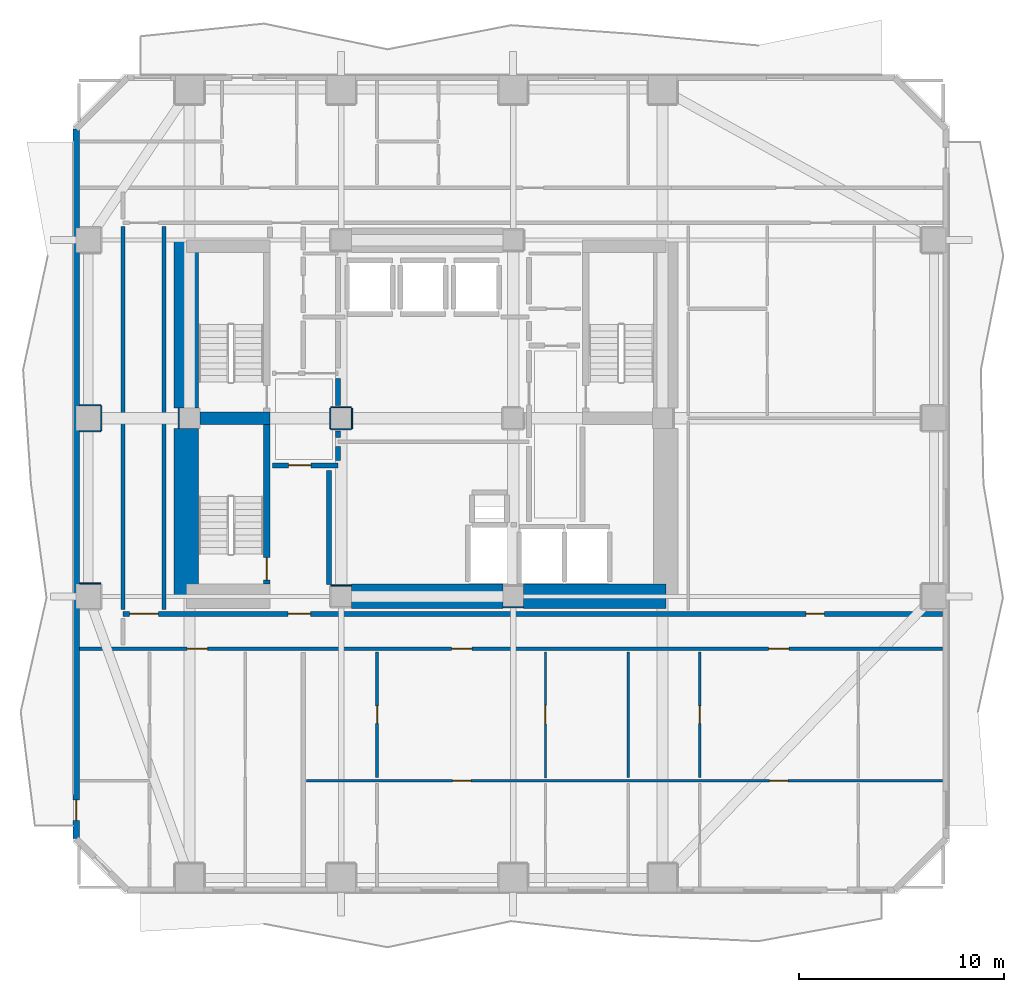
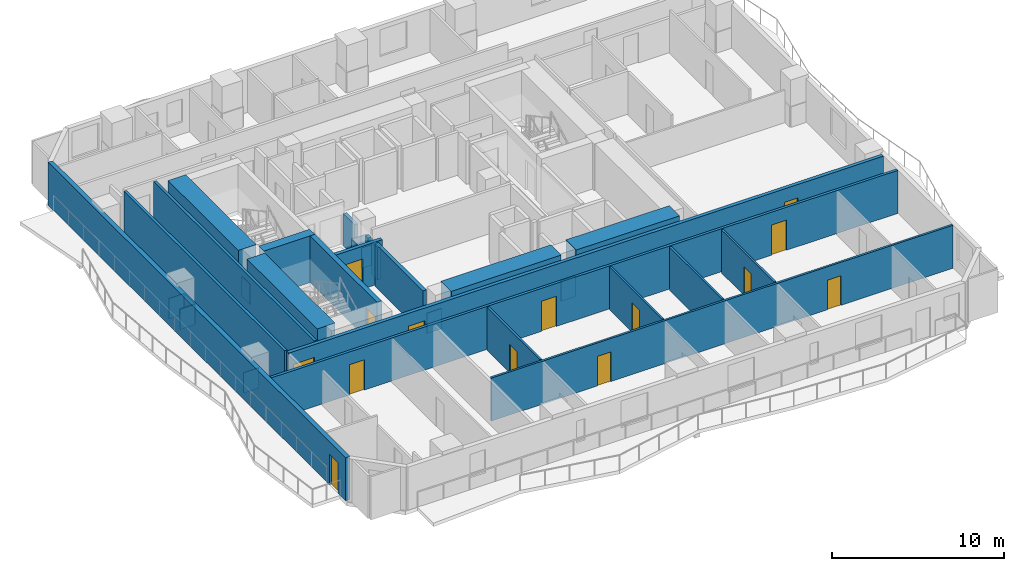
# One storey, part 3 of 10: 32 walls, 14 doors, 14 openings.
"""IFC4 building model written with IfcOpenShell, lengths in metres."""

from ifc_helpers import new_model, si_unit, direction, frame, frame_2d, origin, place, context, subcontext, project, spatial, rectangle, extrude, material, layer, layer_set, type_object, element, fill, save


model = new_model("IFC4")

# Units and contexts
model_context = context("Model", 3, precision=1e-05, world=origin(), true_north=direction((0.0, 1.0)))
body_context = subcontext(model_context, "Body", "Model", "MODEL_VIEW")
ifc_project = project(units=[si_unit("LENGTHUNIT", "METRE"), si_unit("AREAUNIT", "SQUARE_METRE"), si_unit("VOLUMEUNIT", "CUBIC_METRE"), si_unit("PLANEANGLEUNIT", "RADIAN"), si_unit("MASSUNIT", "GRAM", prefix="KILO")], contexts=[model_context])

# Site, building, storey
site_placement = place(None, origin())
site = spatial("IfcSite", under=ifc_project, at=site_placement, CompositionType="ELEMENT")
building_placement = place(site_placement, origin())
building = spatial("IfcBuilding", under=site, at=building_placement, Name="Solanera Arch Residences", CompositionType="ELEMENT")
storey_placement = place(building_placement, frame((0.0, 0.0, 48.56005859375)))
storey = spatial("IfcBuildingStorey", under=building, at=storey_placement, Name="L13", CompositionType="ELEMENT", Elevation=48.56005859375)

# Walls
ifc_material_1 = material(Name="Fire-Rated Gypsum Stud Partition", Category="gypsum")
ifc_layer_1 = layer(ifc_material_1, 0.06005859375)
ifc_layer_set_1 = layer_set([ifc_layer_1], Name="Fire-Rated Gypsum Stud Partition")
wall_type_1 = type_object("IfcWallType", Name="Column Acoustic Furring Wall 60", PredefinedType="PARTITIONING", material=ifc_layer_set_1)
wall_1_placement = place(storey_placement, frame((20.300048828125, 22.531982421875, 0.0), z_axis=(0.0, 0.0, 1.0), x_axis=(1.0, 0.0, 0.0)))
element("IfcWall", 1, at=wall_1_placement, inside=storey, type_object=wall_type_1, Name="L13 Column Furring 1N", PredefinedType="PARTITIONING", context=body_context, shape_type="SweptSolid", body=[
    extrude(rectangle(XDim=0.989990234375, YDim=0.06005859375, at=frame_2d((0.4951171875, 0.0))), origin(), (0.0, 0.0, 1.0), 1.449951171875),
])
for number, where, z_axis, x_axis, name in (
    (2, (28.7099609375, 21.468017578125, 0.0), (0.0, 0.0, 1.0), (1.0, 0.0, 0.0), "L13 Column Furring 2S"),
    (3, (12.867919921875, 30.2099609375, 0.0), (0.0, 0.0, 1.0), (0.0, 1.0, 0.0), "L13 Column Furring 5W"),
):
    element("IfcWall", number, at=place(storey_placement, frame(where, z_axis=z_axis, x_axis=x_axis)), inside=storey, type_object=wall_type_1, Name=name, PredefinedType="PARTITIONING", context=body_context, shape_type="SweptSolid", body=[
        extrude(rectangle(XDim=0.97998046875, YDim=0.06005859375, at=frame_2d((0.489990234375, 0.0))), origin(), (0.0, 0.0, 1.0), 1.449951171875),
    ])
for number, where, z_axis, x_axis, name in (
    (4, (20.300048828125, 30.16796875, 0.0), (0.0, 0.0, 1.0), (1.0, 0.0, 0.0), "L13 Column Furring 7S"),
    (5, (20.300048828125, 31.23193359375, 0.0), (0.0, 0.0, 1.0), (1.0, 0.0, 0.0), "L13 Column Furring 7N"),
    (6, (20.26806640625, 30.199951171875, 0.0), (0.0, 0.0, 1.0), (0.0, 1.0, 0.0), "L13 Column Furring 7W"),
    (7, (21.33203125, 30.199951171875, 0.0), (0.0, 0.0, 1.0), (0.0, 1.0, 0.0), "L13 Column Furring 7E"),
):
    element("IfcWall", number, at=place(storey_placement, frame(where, z_axis=z_axis, x_axis=x_axis)), inside=storey, type_object=wall_type_1, Name=name, PredefinedType="PARTITIONING", context=body_context, shape_type="SweptSolid", body=[
        extrude(rectangle(XDim=1.0, YDim=0.06005859375, at=frame_2d((0.5, 0.0))), origin(), (0.0, 0.0, 1.0), 1.449951171875),
    ])
for number, where, z_axis, x_axis, name in (
    (8, (8.030029296875, 22.632080078125, 0.0), (0.0, 0.0, 1.0), (1.0, 0.0, 0.0), "L13 Column Furring 17N"),
    (9, (8.030029296875, 30.068115234375, 0.0), (0.0, 0.0, 1.0), (1.0, 0.0, 0.0), "L13 Column Furring 19S"),
    (10, (8.030029296875, 31.33203125, 0.0), (0.0, 0.0, 1.0), (1.0, 0.0, 0.0), "L13 Column Furring 19N"),
):
    element("IfcWall", number, at=place(storey_placement, frame(where, z_axis=z_axis, x_axis=x_axis)), inside=storey, type_object=wall_type_1, Name=name, PredefinedType="PARTITIONING", context=body_context, shape_type="SweptSolid", body=[
        extrude(rectangle(XDim=1.02001953125, YDim=0.06005859375, at=frame_2d((0.510009765625, 0.0))), origin(), (0.0, 0.0, 1.0), 1.449951171875),
    ])
wall_2_placement = place(storey_placement, frame((9.08203125, 30.10009765625, 0.0), z_axis=(0.0, 0.0, 1.0), x_axis=(0.0, 1.0, 0.0)))
element("IfcWall", 11, at=wall_2_placement, inside=storey, type_object=wall_type_1, Name="L13 Column Furring 19E", PredefinedType="PARTITIONING", context=body_context, shape_type="SweptSolid", body=[
    extrude(rectangle(XDim=1.199951171875, YDim=0.06005859375, at=frame_2d((0.60009765625, 0.0))), origin(), (0.0, 0.0, 1.0), 1.449951171875),
])
ifc_material_2 = material(Name="Concrete C55/67 (f'c = 60 MPa)", Category="concrete")
ifc_layer_2 = layer(ifc_material_2, 1.199951171875)
ifc_layer_set_2 = layer_set([ifc_layer_2], Name="Concrete C55/67 (f'c = 60 MPa)")
wall_type_2 = type_object("IfcWallType", Name="Core Shear Wall CW-1200", PredefinedType="SHEAR", material=ifc_layer_set_2)
wall_3_placement = place(storey_placement, frame((13.239990234375, 22.0, 0.0), z_axis=(0.0, 0.0, 1.0), x_axis=(0.0, 1.0, 0.0)))
element("IfcWall", 12, at=wall_3_placement, inside=storey, type_object=wall_type_2, Name="L13 West Core South Shear Wall", PredefinedType="SHEAR", context=body_context, shape_type="SweptSolid", body=[
    extrude(rectangle(XDim=8.195068359375, YDim=1.199951171875, at=frame_2d((4.09765625, 0.0))), origin(), (0.0, 0.0, 1.0), 3.31982421875),
])
wall_4_placement = place(storey_placement, frame((13.239990234375, 31.205078125, 0.0), z_axis=(0.0, 0.0, 1.0), x_axis=(0.0, 1.0, 0.0)))
element("IfcWall", 13, at=wall_4_placement, inside=storey, type_object=wall_type_2, Name="L13 West Core North Shear Wall", PredefinedType="SHEAR", context=body_context, shape_type="SweptSolid", body=[
    extrude(rectangle(XDim=8.19482421875, YDim=1.199951171875, at=frame_2d((4.097412109375, 0.0))), origin(), (0.0, 0.0, 1.0), 3.31982421875),
])
wall_5_placement = place(storey_placement, frame((29.705078125, 22.0, 0.0), z_axis=(0.0, 0.0, 1.0), x_axis=(1.0, 0.0, 0.0)))
element("IfcWall", 14, at=wall_5_placement, inside=storey, type_object=wall_type_2, Name="L13 South-East Core Shear Wall", PredefinedType="SHEAR", context=body_context, shape_type="SweptSolid", body=[
    extrude(rectangle(XDim=6.954833984375, YDim=1.199951171875, at=frame_2d((3.4775390625, 0.0))), origin(), (0.0, 0.0, 1.0), 3.31982421875),
])
wall_6_placement = place(storey_placement, frame((21.304931640625, 22.0, 0.0), z_axis=(0.0, 0.0, 1.0), x_axis=(1.0, 0.0, 0.0)))
element("IfcWall", 15, at=wall_6_placement, inside=storey, type_object=wall_type_2, Name="L13 Central South Core Shear Wall", PredefinedType="SHEAR", context=body_context, shape_type="SweptSolid", body=[
    extrude(rectangle(XDim=7.39013671875, YDim=1.199951171875, at=frame_2d((3.695068359375, 0.0))), origin(), (0.0, 0.0, 1.0), 3.31982421875),
])

# Wall, opening, door
ifc_material_3 = material(Name="Concrete C40/50 (f'c = 45 MPa)", Category="concrete")
ifc_layer_3 = layer(ifc_material_3, 0.320068359375)
ifc_layer_set_3 = layer_set([ifc_layer_3], Name="Concrete C40/50 (f'c = 45 MPa)")
wall_type_3 = type_object("IfcWallType", Name="Core Shear Wall CW-320", PredefinedType="SHEAR", material=ifc_layer_set_3)
wall_7_placement = place(storey_placement, frame((17.159912109375, 22.60009765625, 0.0), z_axis=(0.0, 0.0, 1.0), x_axis=(0.0, 1.0, 0.0)))
wall_7 = element("IfcWall", 16, at=wall_7_placement, inside=storey, type_object=wall_type_3, Name="L13 Stair ST-T3 East Shear Wall", PredefinedType="SHEAR", context=body_context, shape_type="SweptSolid", body=[
    extrude(rectangle(XDim=7.7998046875, YDim=0.320068359375, at=frame_2d((3.89990234375, 0.0))), origin(), (0.0, 0.0, 1.0), 3.31982421875),
])
opening_1_placement = place(wall_7_placement, frame((0.18994140625, 0.0, 0.0)))
opening_1 = element("IfcOpeningElement", 17, at=opening_1_placement, cuts=wall_7, Name="Opening DF-01", PredefinedType="OPENING", context=body_context, shape_type="SweptSolid", body=[
    extrude(rectangle(XDim=1.10009765625, YDim=2.14990234375, at=frame_2d((0.550048828125, 1.074951171875))), frame((0.0, 0.169921875, 0.0), z_axis=(0.0, -1.0, 0.0), x_axis=(1.0, 0.0, 0.0)), (0.0, 0.0, 1.0), 0.3401),
])
ifc_material_4 = material(Name="Fire-Rated Architectural Hardwood", Category="wood")
door_type_1 = type_object("IfcDoorType", Name="Stair Exit Fire Door DF-01", OperationType="NOTDEFINED", PredefinedType="DOOR", material=ifc_material_4)
door_1_placement = place(opening_1_placement, origin())
door_1 = element("IfcDoor", 18, at=door_1_placement, inside=storey, type_object=door_type_1, Name="DR-L13-STAIR-ST-T3", OperationType="SINGLE_SWING_LEFT", OverallHeight=2.14990234375, OverallWidth=1.10009765625, PredefinedType="DOOR", context=body_context, shape_type="SweptSolid", body=[
    extrude(rectangle(XDim=1.10009765625, YDim=2.14990234375, at=frame_2d((0.550048828125, 1.074951171875))), frame((0.0, 0.02490234375, 0.0), z_axis=(0.0, -1.0, 0.0), x_axis=(1.0, 0.0, 0.0)), (0.0, 0.0, 1.0), 0.050048828125),
])
fill(opening_1, door_1)

# Wall
ifc_material_5 = material(Name="Concrete C40/50 (f'c = 45 MPa)", Category="concrete")
ifc_layer_4 = layer(ifc_material_5, 0.60009765625)
ifc_layer_set_4 = layer_set([ifc_layer_4], Name="Concrete C40/50 (f'c = 45 MPa)")
wall_type_4 = type_object("IfcWallType", Name="Core Shear Wall CW-600", PredefinedType="SHEAR", material=ifc_layer_set_4)
wall_8_placement = place(storey_placement, frame((13.905029296875, 30.699951171875, 0.0), z_axis=(0.0, 0.0, 1.0), x_axis=(1.0, 0.0, 0.0)))
element("IfcWall", 19, at=wall_8_placement, inside=storey, type_object=wall_type_4, Name="L13 West Stair Divider Shear Wall", PredefinedType="SHEAR", context=body_context, shape_type="SweptSolid", body=[
    extrude(rectangle(XDim=3.4150390625, YDim=0.60009765625, at=frame_2d((1.70751953125, 0.0))), origin(), (0.0, 0.0, 1.0), 3.31982421875),
])

# Wall, openings, doors
ifc_material_6 = material(Name="Autoclaved Aerated Concrete Blockwork", Category="masonry")
ifc_layer_5 = layer(ifc_material_6, 0.179931640625)
ifc_layer_set_5 = layer_set([ifc_layer_5], Name="Autoclaved Aerated Concrete Blockwork")
wall_type_5 = type_object("IfcWallType", Name="Corridor Fire Partition 180", PredefinedType="PARTITIONING", material=ifc_layer_set_5)
wall_9_placement = place(storey_placement, frame((8.027099609375, 19.449951171875, 0.0), z_axis=(0.0, 0.0, 1.0), x_axis=(1.0, 0.0, 0.0)))
wall_9 = element("IfcWall", 20, at=wall_9_placement, inside=storey, type_object=wall_type_5, Name="L13 Interior Partition H7", PredefinedType="PARTITIONING", context=body_context, shape_type="SweptSolid", body=[
    extrude(rectangle(XDim=42.14599609375, YDim=0.179931640625, at=frame_2d((21.072998046875, 0.0))), origin(), (0.0, 0.0, 1.0), 3.06005859375),
])
opening_2_placement = place(wall_9_placement, frame((5.256103515625, 0.0, 0.0)))
opening_2 = element("IfcOpeningElement", 21, at=opening_2_placement, cuts=wall_9, Name="Opening DI-01", PredefinedType="OPENING", context=body_context, shape_type="SweptSolid", body=[
    extrude(rectangle(XDim=1.0, YDim=2.14990234375, at=frame_2d((0.5, 1.074951171875))), frame((0.0, 0.10009765625, 0.0), z_axis=(0.0, -1.0, 0.0), x_axis=(1.0, 0.0, 0.0)), (0.0, 0.0, 1.0), 0.1999),
])
opening_3_placement = place(wall_9_placement, frame((18.1689453125, 0.0, 0.0)))
opening_3 = element("IfcOpeningElement", 22, at=opening_3_placement, cuts=wall_9, Name="Opening DI-01", PredefinedType="OPENING", context=body_context, shape_type="SweptSolid", body=[
    extrude(rectangle(XDim=1.0, YDim=2.14990234375, at=frame_2d((0.5, 1.074951171875))), frame((0.0, 0.10009765625, 0.0), z_axis=(0.0, -1.0, 0.0), x_axis=(1.0, 0.0, 0.0)), (0.0, 0.0, 1.0), 0.1999),
])
opening_4_placement = place(wall_9_placement, frame((33.653076171875, 0.0, 0.0)))
opening_4 = element("IfcOpeningElement", 23, at=opening_4_placement, cuts=wall_9, Name="Opening DI-01", PredefinedType="OPENING", context=body_context, shape_type="SweptSolid", body=[
    extrude(rectangle(XDim=1.0, YDim=2.14990234375, at=frame_2d((0.5, 1.074951171875))), frame((0.0, 0.10009765625, 0.0), z_axis=(0.0, -1.0, 0.0), x_axis=(1.0, 0.0, 0.0)), (0.0, 0.0, 1.0), 0.1999),
])
ifc_material_7 = material(Name="Fire-Rated Architectural Hardwood", Category="wood")
door_type_2 = type_object("IfcDoorType", Name="Unit Entrance Fire Door DI-01", OperationType="NOTDEFINED", PredefinedType="DOOR", material=ifc_material_7)
door_2_placement = place(opening_2_placement, origin())
door_2 = element("IfcDoor", 24, at=door_2_placement, inside=storey, type_object=door_type_2, Name="DR-L13-IN-015", OperationType="SINGLE_SWING_LEFT", OverallHeight=2.14990234375, OverallWidth=1.0, PredefinedType="DOOR", context=body_context, shape_type="SweptSolid", body=[
    extrude(rectangle(XDim=1.0, YDim=2.14990234375, at=frame_2d((0.5, 1.074951171875))), frame((0.0, 0.02490234375, 0.0), z_axis=(0.0, -1.0, 0.0), x_axis=(1.0, 0.0, 0.0)), (0.0, 0.0, 1.0), 0.050048828125),
])
fill(opening_2, door_2)
door_3_placement = place(opening_3_placement, origin())
door_3 = element("IfcDoor", 25, at=door_3_placement, inside=storey, type_object=door_type_2, Name="DR-L13-IN-019", OperationType="SINGLE_SWING_LEFT", OverallHeight=2.14990234375, OverallWidth=1.0, PredefinedType="DOOR", context=body_context, shape_type="SweptSolid", body=[
    extrude(rectangle(XDim=1.0, YDim=2.14990234375, at=frame_2d((0.5, 1.074951171875))), frame((0.0, 0.02490234375, 0.0), z_axis=(0.0, -1.0, 0.0), x_axis=(1.0, 0.0, 0.0)), (0.0, 0.0, 1.0), 0.050048828125),
])
fill(opening_3, door_3)
door_4_placement = place(opening_4_placement, origin())
door_4 = element("IfcDoor", 26, at=door_4_placement, inside=storey, type_object=door_type_2, Name="DR-L13-IN-025", OperationType="SINGLE_SWING_LEFT", OverallHeight=2.14990234375, OverallWidth=1.0, PredefinedType="DOOR", context=body_context, shape_type="SweptSolid", body=[
    extrude(rectangle(XDim=1.0, YDim=2.14990234375, at=frame_2d((0.5, 1.074951171875))), frame((0.0, 0.02490234375, 0.0), z_axis=(0.0, -1.0, 0.0), x_axis=(1.0, 0.0, 0.0)), (0.0, 0.0, 1.0), 0.050048828125),
])
fill(opening_4, door_4)

# Walls
for number, where, z_axis, x_axis, name in (
    (27, (10.14990234375, 21.367919921875, 0.0), (0.0, 0.0, 1.0), (0.0, 1.0, 0.0), "L13 Interior Partition V8 2"),
    (28, (12.14990234375, 21.367919921875, 0.0), (0.0, 0.0, 1.0), (0.0, 1.0, 0.0), "L13 Interior Partition V9"),
):
    element("IfcWall", number, at=place(storey_placement, frame(where, z_axis=z_axis, x_axis=x_axis)), inside=storey, type_object=wall_type_5, Name=name, PredefinedType="PARTITIONING", context=body_context, shape_type="SweptSolid", body=[
        extrude(rectangle(XDim=18.694091796875, YDim=0.179931640625, at=frame_2d((9.34716796875, 0.0))), origin(), (0.0, 0.0, 1.0), 3.06005859375),
    ])

# Wall, opening, door
ifc_material_8 = material(Name="Precast Concrete C35/45", Category="concrete")
ifc_layer_6 = layer(ifc_material_8, 0.300048828125)
ifc_layer_set_6 = layer_set([ifc_layer_6], Name="Precast Concrete C35/45")
wall_type_6 = type_object("IfcWallType", Name="Exterior Wall Precast Masonry-Frame 300", PredefinedType="STANDARD", material=ifc_layer_set_6)
wall_10_placement = place(storey_placement, frame((7.864990234375, 10.1650390625, 0.0), z_axis=(0.0, 0.0, 1.0), x_axis=(0.0, 1.0, 0.0)))
wall_10 = element("IfcWall", 29, at=wall_10_placement, inside=storey, type_object=wall_type_6, Name="L13 Tower Exterior Precast Masonry-Frame Wall W", PredefinedType="STANDARD", context=body_context, shape_type="SweptSolid", body=[
    extrude(rectangle(XDim=34.669921875, YDim=0.300048828125, at=frame_2d((17.3349609375, 0.0))), origin(), (0.0, 0.0, 1.0), 3.06005859375),
])
opening_5_placement = place(wall_10_placement, frame((0.90087890625, 0.0, 0.0)))
opening_5 = element("IfcOpeningElement", 30, at=opening_5_placement, cuts=wall_10, Name="Opening DB-01", PredefinedType="OPENING", context=body_context, shape_type="SweptSolid", body=[
    extrude(rectangle(XDim=1.0, YDim=2.14990234375, at=frame_2d((0.5, 1.074951171875))), frame((0.0, 0.159912109375, 0.0), z_axis=(0.0, -1.0, 0.0), x_axis=(1.0, 0.0, 0.0)), (0.0, 0.0, 1.0), 0.32),
])
ifc_material_9 = material(Name="Anodised Aluminium Alloy 6063-T6", Category="aluminium")
door_type_3 = type_object("IfcDoorType", Name="Glazed Balcony Swing Door DB-01", OperationType="NOTDEFINED", PredefinedType="DOOR", material=ifc_material_9)
door_5_placement = place(opening_5_placement, origin())
door_5 = element("IfcDoor", 31, at=door_5_placement, inside=storey, type_object=door_type_3, Name="DR-L13-OUT-04", OperationType="SINGLE_SWING_RIGHT", OverallHeight=2.14990234375, OverallWidth=1.0, PredefinedType="DOOR", context=body_context, shape_type="SweptSolid", body=[
    extrude(rectangle(XDim=1.0, YDim=2.14990234375, at=frame_2d((0.5, 1.074951171875))), frame((0.0, 0.02490234375, 0.0), z_axis=(0.0, -1.0, 0.0), x_axis=(1.0, 0.0, 0.0)), (0.0, 0.0, 1.0), 0.050048828125),
])
fill(opening_5, door_5)

# Wall, openings, doors
ifc_material_10 = material(Name="Autoclaved Aerated Concrete Blockwork", Category="masonry")
ifc_layer_7 = layer(ifc_material_10, 0.239990234375)
ifc_layer_set_7 = layer_set([ifc_layer_7], Name="Autoclaved Aerated Concrete Blockwork")
wall_type_7 = type_object("IfcWallType", Name="Shaft Wall Fire-Rated 240", PredefinedType="PARTITIONING", material=ifc_layer_set_7)
wall_11_placement = place(storey_placement, frame((10.14990234375, 21.14990234375, 0.0), z_axis=(0.0, 0.0, 1.0), x_axis=(1.0, 0.0, 0.0)))
wall_11 = element("IfcWall", 32, at=wall_11_placement, inside=storey, type_object=wall_type_7, Name="L13 Interior Partition H1", PredefinedType="PARTITIONING", context=body_context, shape_type="SweptSolid", body=[
    extrude(rectangle(XDim=40.023193359375, YDim=0.239990234375, at=frame_2d((20.01171875, 0.0))), origin(), (0.0, 0.0, 1.0), 3.06005859375),
])
opening_6_placement = place(wall_11_placement, frame((8.06005859375, 0.0, 0.0)))
opening_6 = element("IfcOpeningElement", 33, at=opening_6_placement, cuts=wall_11, Name="Opening DF-02", PredefinedType="OPENING", context=body_context, shape_type="SweptSolid", body=[
    extrude(rectangle(XDim=1.10009765625, YDim=2.14990234375, at=frame_2d((0.550048828125, 1.074951171875))), frame((0.0, 0.1298828125, 0.0), z_axis=(0.0, -1.0, 0.0), x_axis=(1.0, 0.0, 0.0)), (0.0, 0.0, 1.0), 0.26),
])
opening_7_placement = place(wall_11_placement, frame((0.323974609375, 0.0, 0.0)))
opening_7 = element("IfcOpeningElement", 34, at=opening_7_placement, cuts=wall_11, Name="Opening DF-03", PredefinedType="OPENING", context=body_context, shape_type="SweptSolid", body=[
    extrude(rectangle(XDim=1.39990234375, YDim=2.14990234375, at=frame_2d((0.699951171875, 1.074951171875))), frame((0.0, 0.1298828125, 0.0), z_axis=(0.0, -1.0, 0.0), x_axis=(1.0, 0.0, 0.0)), (0.0, 0.0, 1.0), 0.26),
])
opening_8_placement = place(wall_11_placement, frame((33.35107421875, 0.0, 0.0)))
opening_8 = element("IfcOpeningElement", 35, at=opening_8_placement, cuts=wall_11, Name="Opening DI-02", PredefinedType="OPENING", context=body_context, shape_type="SweptSolid", body=[
    extrude(rectangle(XDim=0.89990234375, YDim=2.10009765625, at=frame_2d((0.449951171875, 1.050048828125))), frame((0.0, 0.1298828125, 0.0), z_axis=(0.0, -1.0, 0.0), x_axis=(1.0, 0.0, 0.0)), (0.0, 0.0, 1.0), 0.26),
])
ifc_material_11 = material(Name="Fire-Rated Architectural Hardwood", Category="wood")
door_type_4 = type_object("IfcDoorType", Name="Corridor Smoke Door DF-03", OperationType="NOTDEFINED", PredefinedType="DOOR", material=ifc_material_11)
door_6_placement = place(opening_7_placement, origin())
door_6 = element("IfcDoor", 36, at=door_6_placement, inside=storey, type_object=door_type_4, Name="DR-L13-IN-010", OperationType="SINGLE_SWING_RIGHT", OverallHeight=2.14990234375, OverallWidth=1.39990234375, PredefinedType="DOOR", context=body_context, shape_type="SweptSolid", body=[
    extrude(rectangle(XDim=1.39990234375, YDim=2.14990234375, at=frame_2d((0.699951171875, 1.074951171875))), frame((0.0, 0.02490234375, 0.0), z_axis=(0.0, -1.0, 0.0), x_axis=(1.0, 0.0, 0.0)), (0.0, 0.0, 1.0), 0.050048828125),
])
fill(opening_7, door_6)
ifc_material_12 = material(Name="Fire-Rated Architectural Hardwood", Category="wood")
door_type_5 = type_object("IfcDoorType", Name="Firefighting Lobby Fire Door DF-02", OperationType="NOTDEFINED", PredefinedType="DOOR", material=ifc_material_12)
door_7_placement = place(opening_6_placement, origin())
door_7 = element("IfcDoor", 37, at=door_7_placement, inside=storey, type_object=door_type_5, Name="DR-L13-IN-008", OperationType="SINGLE_SWING_RIGHT", OverallHeight=2.14990234375, OverallWidth=1.10009765625, PredefinedType="DOOR", context=body_context, shape_type="SweptSolid", body=[
    extrude(rectangle(XDim=1.10009765625, YDim=2.14990234375, at=frame_2d((0.550048828125, 1.074951171875))), frame((0.0, 0.02490234375, 0.0), z_axis=(0.0, -1.0, 0.0), x_axis=(1.0, 0.0, 0.0)), (0.0, 0.0, 1.0), 0.050048828125),
])
fill(opening_6, door_7)
ifc_material_13 = material(Name="Fire-Rated Architectural Hardwood", Category="wood")
door_type_6 = type_object("IfcDoorType", Name="Suite Room Swing Door DI-02", OperationType="NOTDEFINED", PredefinedType="DOOR", material=ifc_material_13)
door_8_placement = place(opening_8_placement, origin())
door_8 = element("IfcDoor", 38, at=door_8_placement, inside=storey, type_object=door_type_6, Name="DR-L13-IN-039", OperationType="SINGLE_SWING_LEFT", OverallHeight=2.10009765625, OverallWidth=0.89990234375, PredefinedType="DOOR", context=body_context, shape_type="SweptSolid", body=[
    extrude(rectangle(XDim=0.89990234375, YDim=2.10009765625, at=frame_2d((0.449951171875, 1.050048828125))), frame((0.0, 0.02490234375, 0.0), z_axis=(0.0, -1.0, 0.0), x_axis=(1.0, 0.0, 0.0)), (0.0, 0.0, 1.0), 0.050048828125),
])
fill(opening_8, door_8)

# Wall, opening, door
wall_12_placement = place(storey_placement, frame((17.449951171875, 28.39990234375, 0.0), z_axis=(0.0, 0.0, 1.0), x_axis=(1.0, 0.0, 0.0)))
wall_12 = element("IfcWall", 39, at=wall_12_placement, inside=storey, type_object=wall_type_7, Name="L13 Interior Partition H3", PredefinedType="PARTITIONING", context=body_context, shape_type="SweptSolid", body=[
    extrude(rectangle(XDim=3.199951171875, YDim=0.239990234375, at=frame_2d((1.60009765625, 0.0))), origin(), (0.0, 0.0, 1.0), 3.06005859375),
])
opening_9_placement = place(wall_12_placement, frame((0.783935546875, 0.0, 0.0)))
opening_9 = element("IfcOpeningElement", 40, at=opening_9_placement, cuts=wall_12, Name="Opening DF-02", PredefinedType="OPENING", context=body_context, shape_type="SweptSolid", body=[
    extrude(rectangle(XDim=1.10009765625, YDim=2.14990234375, at=frame_2d((0.550048828125, 1.074951171875))), frame((0.0, 0.1298828125, 0.0), z_axis=(0.0, -1.0, 0.0), x_axis=(1.0, 0.0, 0.0)), (0.0, 0.0, 1.0), 0.26),
])
door_9_placement = place(opening_9_placement, origin())
door_9 = element("IfcDoor", 41, at=door_9_placement, inside=storey, type_object=door_type_5, Name="DR-L13-IN-004", OperationType="SINGLE_SWING_RIGHT", OverallHeight=2.14990234375, OverallWidth=1.10009765625, PredefinedType="DOOR", context=body_context, shape_type="SweptSolid", body=[
    extrude(rectangle(XDim=1.10009765625, YDim=2.14990234375, at=frame_2d((0.550048828125, 1.074951171875))), frame((0.0, 0.02490234375, 0.0), z_axis=(0.0, -1.0, 0.0), x_axis=(1.0, 0.0, 0.0)), (0.0, 0.0, 1.0), 0.050048828125),
])
fill(opening_9, door_9)

# Walls
wall_13_placement = place(storey_placement, frame((20.199951171875, 22.5859375, 0.0), z_axis=(0.0, 0.0, 1.0), x_axis=(0.0, 1.0, 0.0)))
element("IfcWall", 42, at=wall_13_placement, inside=storey, type_object=wall_type_7, Name="L13 Interior Partition V2", PredefinedType="PARTITIONING", context=body_context, shape_type="SweptSolid", body=[
    extrude(rectangle(XDim=5.566162109375, YDim=0.239990234375, at=frame_2d((2.783203125, 0.0))), origin(), (0.0, 0.0, 1.0), 3.06005859375),
])
wall_14_placement = place(storey_placement, frame((20.64990234375, 28.64794921875, 0.0), z_axis=(0.0, 0.0, 1.0), x_axis=(0.0, 1.0, 0.0)))
element("IfcWall", 43, at=wall_14_placement, inside=storey, type_object=wall_type_7, Name="L13 Interior Partition V3 1", PredefinedType="PARTITIONING", context=body_context, shape_type="SweptSolid", body=[
    extrude(rectangle(XDim=0.68408203125, YDim=0.239990234375, at=frame_2d((0.342041015625, 0.0))), origin(), (0.0, 0.0, 1.0), 2.294921875),
])
wall_15_placement = place(storey_placement, frame((20.64990234375, 29.76806640625, 0.0), z_axis=(0.0, 0.0, 1.0), x_axis=(0.0, 1.0, 0.0)))
element("IfcWall", 44, at=wall_15_placement, inside=storey, type_object=wall_type_7, Name="L13 Interior Partition V3 2", PredefinedType="PARTITIONING", context=body_context, shape_type="SweptSolid", body=[
    extrude(rectangle(XDim=0.300048828125, YDim=0.239990234375, at=frame_2d((0.14990234375, 0.0))), origin(), (0.0, 0.0, 1.0), 2.294921875),
])
wall_16_placement = place(storey_placement, frame((20.64990234375, 31.33203125, 0.0), z_axis=(0.0, 0.0, 1.0), x_axis=(0.0, 1.0, 0.0)))
element("IfcWall", 45, at=wall_16_placement, inside=storey, type_object=wall_type_7, Name="L13 Interior Partition V3 3", PredefinedType="PARTITIONING", context=body_context, shape_type="SweptSolid", body=[
    extrude(rectangle(XDim=1.320068359375, YDim=0.239990234375, at=frame_2d((0.66015625, 0.0))), origin(), (0.0, 0.0, 1.0), 2.294921875),
])

# Wall, opening, door
ifc_material_14 = material(Name="Fire-Rated Gypsum Stud Partition", Category="gypsum")
ifc_layer_8 = layer(ifc_material_14, 0.1201171875)
ifc_layer_set_8 = layer_set([ifc_layer_8], Name="Fire-Rated Gypsum Stud Partition")
wall_type_8 = type_object("IfcWallType", Name="Unit Drywall Partition 120", PredefinedType="PARTITIONING", material=ifc_layer_set_8)
wall_17_placement = place(storey_placement, frame((30.780029296875, 13.137939453125, 0.0), z_axis=(0.0, 0.0, 1.0), x_axis=(0.0, 1.0, 0.0)))
wall_17 = element("IfcWall", 46, at=wall_17_placement, inside=storey, type_object=wall_type_8, Name="L13 Interior Partition V25 2", PredefinedType="PARTITIONING", context=body_context, shape_type="SweptSolid", body=[
    extrude(rectangle(XDim=6.154052734375, YDim=0.1201171875, at=frame_2d((3.0771484375, 0.0))), origin(), (0.0, 0.0, 1.0), 3.06005859375),
])
opening_10_placement = place(wall_17_placement, frame((2.636962890625, 0.0, 0.0)))
opening_10 = element("IfcOpeningElement", 47, at=opening_10_placement, cuts=wall_17, Name="Opening DI-02", PredefinedType="OPENING", context=body_context, shape_type="SweptSolid", body=[
    extrude(rectangle(XDim=0.89990234375, YDim=2.10009765625, at=frame_2d((0.449951171875, 1.050048828125))), frame((0.0, 0.070068359375, 0.0), z_axis=(0.0, -1.0, 0.0), x_axis=(1.0, 0.0, 0.0)), (0.0, 0.0, 1.0), 0.1401),
])
door_10_placement = place(opening_10_placement, origin())
door_10 = element("IfcDoor", 48, at=door_10_placement, inside=storey, type_object=door_type_6, Name="DR-L13-IN-023", OperationType="SINGLE_SWING_LEFT", OverallHeight=2.10009765625, OverallWidth=0.89990234375, PredefinedType="DOOR", context=body_context, shape_type="SweptSolid", body=[
    extrude(rectangle(XDim=0.89990234375, YDim=2.10009765625, at=frame_2d((0.449951171875, 1.050048828125))), frame((0.0, 0.02490234375, 0.0), z_axis=(0.0, -1.0, 0.0), x_axis=(1.0, 0.0, 0.0)), (0.0, 0.0, 1.0), 0.050048828125),
])
fill(opening_10, door_10)

# Wall, openings, doors
ifc_material_15 = material(Name="Autoclaved Aerated Concrete Blockwork", Category="masonry")
ifc_layer_9 = layer(ifc_material_15, 0.139892578125)
ifc_layer_set_9 = layer_set([ifc_layer_9], Name="Autoclaved Aerated Concrete Blockwork")
wall_type_9 = type_object("IfcWallType", Name="Wet-Room Partition 140", PredefinedType="PARTITIONING", material=ifc_layer_set_9)
wall_18_placement = place(storey_placement, frame((19.1201171875, 13.0, 0.0), z_axis=(0.0, 0.0, 1.0), x_axis=(1.0, 0.0, 0.0)))
wall_18 = element("IfcWall", 49, at=wall_18_placement, inside=storey, type_object=wall_type_9, Name="L13 Interior Partition H14", PredefinedType="PARTITIONING", context=body_context, shape_type="SweptSolid", body=[
    extrude(rectangle(XDim=31.052978515625, YDim=0.139892578125, at=frame_2d((15.5263671875, 0.0))), origin(), (0.0, 0.0, 1.0), 3.06005859375),
])
opening_11_placement = place(wall_18_placement, frame((7.1259765625, 0.0, 0.0)))
opening_11 = element("IfcOpeningElement", 50, at=opening_11_placement, cuts=wall_18, Name="Opening DI-02", PredefinedType="OPENING", context=body_context, shape_type="SweptSolid", body=[
    extrude(rectangle(XDim=0.89990234375, YDim=2.10009765625, at=frame_2d((0.449951171875, 1.050048828125))), frame((0.0, 0.079833984375, 0.0), z_axis=(0.0, -1.0, 0.0), x_axis=(1.0, 0.0, 0.0)), (0.0, 0.0, 1.0), 0.1599),
])
opening_12_placement = place(wall_18_placement, frame((22.60888671875, 0.0, 0.0)))
opening_12 = element("IfcOpeningElement", 51, at=opening_12_placement, cuts=wall_18, Name="Opening DI-02", PredefinedType="OPENING", context=body_context, shape_type="SweptSolid", body=[
    extrude(rectangle(XDim=0.89990234375, YDim=2.10009765625, at=frame_2d((0.449951171875, 1.050048828125))), frame((0.0, 0.079833984375, 0.0), z_axis=(0.0, -1.0, 0.0), x_axis=(1.0, 0.0, 0.0)), (0.0, 0.0, 1.0), 0.1599),
])
door_11_placement = place(opening_11_placement, origin())
door_11 = element("IfcDoor", 52, at=door_11_placement, inside=storey, type_object=door_type_6, Name="DR-L13-IN-020", OperationType="SINGLE_SWING_RIGHT", OverallHeight=2.10009765625, OverallWidth=0.89990234375, PredefinedType="DOOR", context=body_context, shape_type="SweptSolid", body=[
    extrude(rectangle(XDim=0.89990234375, YDim=2.10009765625, at=frame_2d((0.449951171875, 1.050048828125))), frame((0.0, 0.02490234375, 0.0), z_axis=(0.0, -1.0, 0.0), x_axis=(1.0, 0.0, 0.0)), (0.0, 0.0, 1.0), 0.050048828125),
])
fill(opening_11, door_11)
door_12_placement = place(opening_12_placement, origin())
door_12 = element("IfcDoor", 53, at=door_12_placement, inside=storey, type_object=door_type_6, Name="DR-L13-IN-026", OperationType="SINGLE_SWING_RIGHT", OverallHeight=2.10009765625, OverallWidth=0.89990234375, PredefinedType="DOOR", context=body_context, shape_type="SweptSolid", body=[
    extrude(rectangle(XDim=0.89990234375, YDim=2.10009765625, at=frame_2d((0.449951171875, 1.050048828125))), frame((0.0, 0.02490234375, 0.0), z_axis=(0.0, -1.0, 0.0), x_axis=(1.0, 0.0, 0.0)), (0.0, 0.0, 1.0), 0.050048828125),
])
fill(opening_12, door_12)

# Wall, opening, door
wall_19_placement = place(storey_placement, frame((22.56005859375, 13.14794921875, 0.0), z_axis=(0.0, 0.0, 1.0), x_axis=(0.0, 1.0, 0.0)))
wall_19 = element("IfcWall", 54, at=wall_19_placement, inside=storey, type_object=wall_type_9, Name="L13 Interior Partition V15 2", PredefinedType="PARTITIONING", context=body_context, shape_type="SweptSolid", body=[
    extrude(rectangle(XDim=6.134033203125, YDim=0.139892578125, at=frame_2d((3.06689453125, 0.0))), origin(), (0.0, 0.0, 1.0), 3.06005859375),
])
opening_13_placement = place(wall_19_placement, frame((2.64697265625, 0.0, 0.0)))
opening_13 = element("IfcOpeningElement", 55, at=opening_13_placement, cuts=wall_19, Name="Opening DI-05", PredefinedType="OPENING", context=body_context, shape_type="SweptSolid", body=[
    extrude(rectangle(XDim=0.860107421875, YDim=2.02001953125, at=frame_2d((0.43017578125, 1.010009765625))), frame((0.0, 0.079833984375, 0.0), z_axis=(0.0, -1.0, 0.0), x_axis=(1.0, 0.0, 0.0)), (0.0, 0.0, 1.0), 0.1599),
])
ifc_material_16 = material(Name="Fire-Rated Architectural Hardwood", Category="wood")
door_type_7 = type_object("IfcDoorType", Name="Bathroom Swing Door DI-05", OperationType="NOTDEFINED", PredefinedType="DOOR", material=ifc_material_16)
door_13_placement = place(opening_13_placement, origin())
door_13 = element("IfcDoor", 56, at=door_13_placement, inside=storey, type_object=door_type_7, Name="DR-L13-IN-021", OperationType="SINGLE_SWING_LEFT", OverallHeight=2.02001953125, OverallWidth=0.860107421875, PredefinedType="DOOR", context=body_context, shape_type="SweptSolid", body=[
    extrude(rectangle(XDim=0.860107421875, YDim=2.02001953125, at=frame_2d((0.43017578125, 1.010009765625))), frame((0.0, 0.02490234375, 0.0), z_axis=(0.0, -1.0, 0.0), x_axis=(1.0, 0.0, 0.0)), (0.0, 0.0, 1.0), 0.050048828125),
])
fill(opening_13, door_13)

# Wall
wall_20_placement = place(storey_placement, frame((34.820068359375, 13.14794921875, 0.0), z_axis=(0.0, 0.0, 1.0), x_axis=(0.0, 1.0, 0.0)))
element("IfcWall", 57, at=wall_20_placement, inside=storey, type_object=wall_type_9, Name="L13 Interior Partition V18 2", PredefinedType="PARTITIONING", context=body_context, shape_type="SweptSolid", body=[
    extrude(rectangle(XDim=6.134033203125, YDim=0.139892578125, at=frame_2d((3.06689453125, 0.0))), origin(), (0.0, 0.0, 1.0), 3.06005859375),
])

# Wall, opening, door
wall_21_placement = place(storey_placement, frame((38.31201171875, 13.14794921875, 0.0), z_axis=(0.0, 0.0, 1.0), x_axis=(0.0, 1.0, 0.0)))
wall_21 = element("IfcWall", 58, at=wall_21_placement, inside=storey, type_object=wall_type_9, Name="L13 Interior Partition V21 2", PredefinedType="PARTITIONING", context=body_context, shape_type="SweptSolid", body=[
    extrude(rectangle(XDim=6.134033203125, YDim=0.139892578125, at=frame_2d((3.06689453125, 0.0))), origin(), (0.0, 0.0, 1.0), 3.06005859375),
])
opening_14_placement = place(wall_21_placement, frame((2.64697265625, 0.0, 0.0)))
opening_14 = element("IfcOpeningElement", 59, at=opening_14_placement, cuts=wall_21, Name="Opening DI-05", PredefinedType="OPENING", context=body_context, shape_type="SweptSolid", body=[
    extrude(rectangle(XDim=0.860107421875, YDim=2.02001953125, at=frame_2d((0.43017578125, 1.010009765625))), frame((0.0, 0.079833984375, 0.0), z_axis=(0.0, -1.0, 0.0), x_axis=(1.0, 0.0, 0.0)), (0.0, 0.0, 1.0), 0.1599),
])
door_14_placement = place(opening_14_placement, origin())
door_14 = element("IfcDoor", 60, at=door_14_placement, inside=storey, type_object=door_type_7, Name="DR-L13-IN-027", OperationType="SINGLE_SWING_LEFT", OverallHeight=2.02001953125, OverallWidth=0.860107421875, PredefinedType="DOOR", context=body_context, shape_type="SweptSolid", body=[
    extrude(rectangle(XDim=0.860107421875, YDim=2.02001953125, at=frame_2d((0.43017578125, 1.010009765625))), frame((0.0, 0.02490234375, 0.0), z_axis=(0.0, -1.0, 0.0), x_axis=(1.0, 0.0, 0.0)), (0.0, 0.0, 1.0), 0.050048828125),
])
fill(opening_14, door_14)

save(model, "model.ifc")
